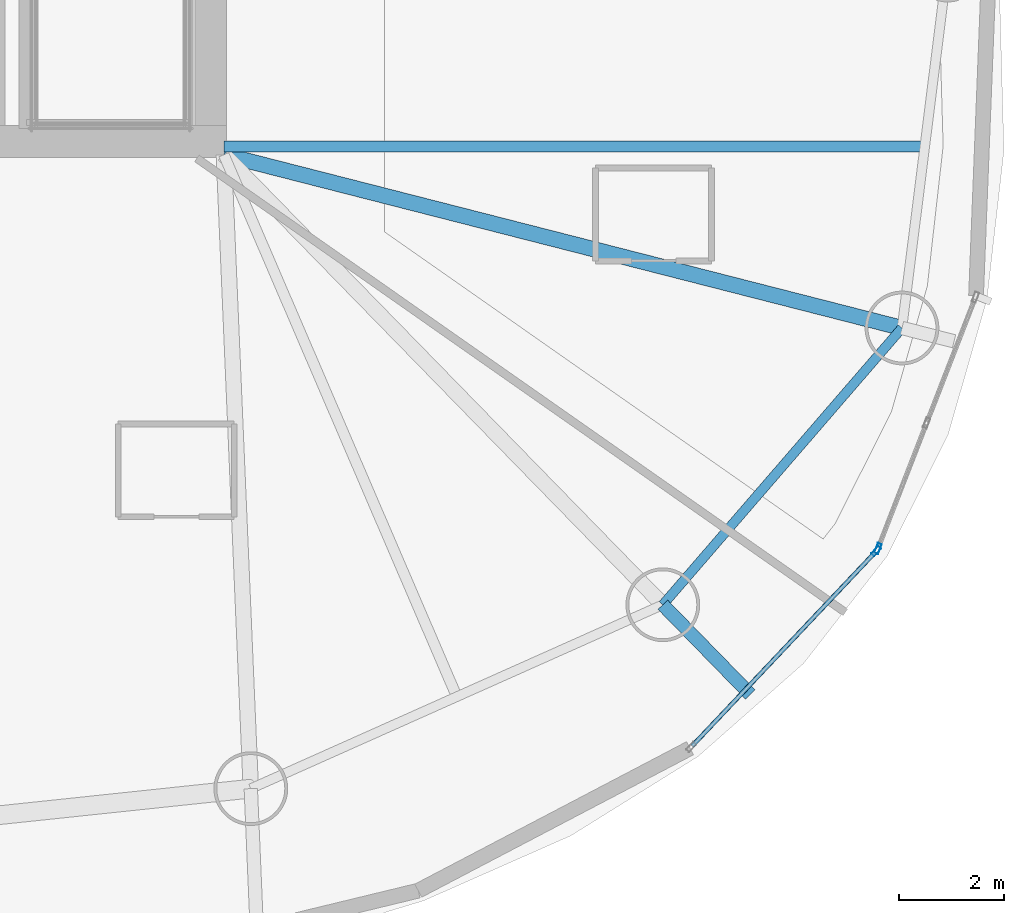
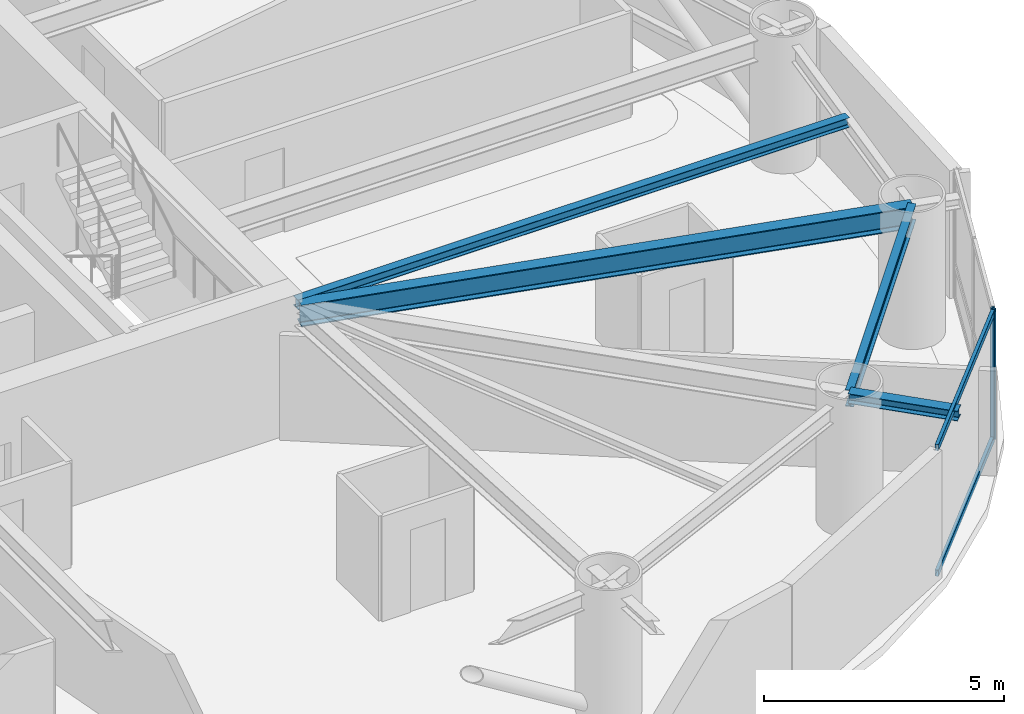
# One storey, part 10 of 23: 4 beams, 4 members, 2 elements without a shape of their own.
"""IFC4 building model written with IfcOpenShell, lengths in metres."""

from ifc_helpers import new_model, si_unit, direction, frame, origin, origin_2d, place, context, subcontext, project, spatial, hollow_rectangle, i_section, extrude, material, layer, layer_set, material_profile, profile_set, type_object, element, aggregate, save


model = new_model("IFC4")

# Units and contexts
model_context = context("Model", 3, precision=1e-05, world=origin(), true_north=direction((0.0, 1.0)))
body_context = subcontext(model_context, "Body", "Model", "MODEL_VIEW")
ifc_project = project(units=[si_unit("LENGTHUNIT", "METRE"), si_unit("AREAUNIT", "SQUARE_METRE"), si_unit("VOLUMEUNIT", "CUBIC_METRE"), si_unit("PLANEANGLEUNIT", "RADIAN"), si_unit("MASSUNIT", "GRAM", prefix="KILO")], contexts=[model_context])

# Site, building, storey
site_placement = place(None, origin())
site = spatial("IfcSite", under=ifc_project, at=site_placement, CompositionType="ELEMENT")
building_placement = place(site_placement, origin())
building = spatial("IfcBuilding", under=site, at=building_placement, Name="Bramvorn Convention Spire", CompositionType="ELEMENT")
storey_placement = place(building_placement, frame((0.0, 0.0, 158.800048828125)))
storey = spatial("IfcBuildingStorey", under=building, at=storey_placement, Name="L40", CompositionType="ELEMENT", Elevation=158.800048828125)

# Beams
ifc_material_1 = material(Name="Steel CSA G40.21 Grade 350 (350W)", Category="steel")
ifc_material_profile_1 = material_profile(ifc_material_1, i_section(OverallWidth=0.201904296875, OverallDepth=0.2470703125, WebThickness=0.00732421875, FlangeThickness=0.010986328125, FilletRadius=0.011962890625, at=origin_2d()))
ifc_profile_set_1 = profile_set([ifc_material_profile_1], Name="Steel CSA G40.21 Grade 350 (350W) - W250X49")
beam_type_1 = type_object("IfcBeamType", Name="BM-W250X49", PredefinedType="JOIST", material=ifc_profile_set_1)
beam_1_placement = place(storey_placement, frame((49.25, 18.705078125, 3.136474609375), z_axis=(1.0, 0.0, 0.0), x_axis=(0.0, 1.0, 0.0)))
element("IfcBeam", 1, at=beam_1_placement, inside=storey, type_object=beam_type_1, Name="L40 composite floor joist 01", PredefinedType="JOIST", context=body_context, shape_type="SweptSolid", body=[
    extrude(i_section(OverallWidth=0.201904296875, OverallDepth=0.2470703125, WebThickness=0.00732421875, FlangeThickness=0.010986328125, FilletRadius=0.011962890625, at=origin_2d()), origin(), (0.0, 0.0, 1.0), 13.30078125),
])
ifc_material_profile_2 = material_profile(ifc_material_1, i_section(OverallWidth=0.25390625, OverallDepth=0.2529296875, WebThickness=0.008544921875, FlangeThickness=0.01416015625, FilletRadius=0.011962890625, at=origin_2d()))
ifc_profile_set_2 = profile_set([ifc_material_profile_2], Name="Steel CSA G40.21 Grade 350 (350W) - W250X73")
beam_type_2 = type_object("IfcBeamType", Name="BM-W250X73", PredefinedType="BEAM", material=ifc_profile_set_2)
beam_2_placement = place(storey_placement, frame((57.579833984375, 10.0107421875, 3.133544921875), z_axis=(0.69832641791, -0.715779445115, 0.0), x_axis=(0.715779445115, 0.69832641791, 0.0)))
element("IfcBeam", 2, at=beam_2_placement, inside=storey, type_object=beam_type_2, Name="L40 slab-edge cantilever tip beam MC16", PredefinedType="BEAM", context=body_context, shape_type="SweptSolid", body=[
    extrude(i_section(OverallWidth=0.25390625, OverallDepth=0.2529296875, WebThickness=0.008544921875, FlangeThickness=0.01416015625, FilletRadius=0.011962890625, at=origin_2d()), origin(), (0.0, 0.0, 1.0), 2.3779296875),
])
ifc_material_profile_3 = material_profile(ifc_material_1, i_section(OverallWidth=0.180908203125, OverallDepth=0.4169921875, WebThickness=0.010986328125, FlangeThickness=0.018310546875, FilletRadius=0.01611328125, at=origin_2d()))
ifc_profile_set_3 = profile_set([ifc_material_profile_3], Name="Steel CSA G40.21 Grade 350 (350W) - W410X85")
beam_type_3 = type_object("IfcBeamType", Name="BM-W410X85", PredefinedType="JOIST", material=ifc_profile_set_3)
beam_3_placement = place(storey_placement, frame((57.579833984375, 10.0107421875, 3.051513671875), z_axis=(0.653824993824, 0.756645807132, 0.0), x_axis=(-0.756645807132, 0.653824993824, 0.0)))
element("IfcBeam", 3, at=beam_3_placement, inside=storey, type_object=beam_type_3, Name="L40 mega-column ring beam 16", PredefinedType="JOIST", context=body_context, shape_type="SweptSolid", body=[
    extrude(i_section(OverallWidth=0.180908203125, OverallDepth=0.4169921875, WebThickness=0.010986328125, FlangeThickness=0.018310546875, FilletRadius=0.01611328125, at=origin_2d()), origin(), (0.0, 0.0, 1.0), 6.9404296875),
])
ifc_material_profile_4 = material_profile(ifc_material_1, i_section(OverallWidth=0.2919921875, OverallDepth=0.551025390625, WebThickness=0.01513671875, FlangeThickness=0.0244140625, FilletRadius=0.01904296875, at=origin_2d()))
ifc_profile_set_4 = profile_set([ifc_material_profile_4], Name="Steel CSA G40.21 Grade 350 (350W) - W530X182")
beam_type_4 = type_object("IfcBeamType", Name="BM-W530X182", PredefinedType="BEAM", material=ifc_profile_set_4)
beam_4_placement = place(storey_placement, frame((49.25, 18.550048828125, 2.984375), z_axis=(0.968872976577, -0.247558387576, 0.0), x_axis=(0.247558387576, 0.968872976577, 0.0)))
element("IfcBeam", 4, at=beam_4_placement, inside=storey, type_object=beam_type_4, Name="L40 radial floor girder MC01", PredefinedType="BEAM", context=body_context, shape_type="SweptSolid", body=[
    extrude(i_section(OverallWidth=0.2919921875, OverallDepth=0.551025390625, WebThickness=0.01513671875, FlangeThickness=0.0244140625, FilletRadius=0.01904296875, at=origin_2d()), origin(), (0.0, 0.0, 1.0), 13.281005859375),
])

# Curtain wall, member
ifc_material_2 = material(Name="Anodised Bronze Unitised Curtain Wall", Category="aluminium")
ifc_layer = layer(ifc_material_2, 0.179931640625)
ifc_layer_set = layer_set([ifc_layer], Name="Anodised Bronze Unitised Curtain Wall - CW-HTL-FRIT")
curtain_wall_type = type_object("IfcCurtainWallType", Name="CW-HTL-FRIT", PredefinedType="USERDEFINED", material=ifc_layer_set)
curtain_wall_1_placement = place(storey_placement, origin())
curtain_wall_1 = element("IfcCurtainWall", 5, at=curtain_wall_1_placement, inside=storey, type_object=curtain_wall_type, Name="L40 fritted glass curtain wall 01", ObjectType="UNITISED CURTAIN WALL", PredefinedType="USERDEFINED")
ifc_material_3 = material(Name="Anodised Bronze Aluminium 6063-T6", Category="aluminium")
ifc_material_profile_5 = material_profile(ifc_material_3, hollow_rectangle(XDim=0.080078125, YDim=0.199951171875, WallThickness=0.00390625, InnerFilletRadius=0.0009765625, OuterFilletRadius=0.00390625, at=origin_2d()))
ifc_profile_set_5 = profile_set([ifc_material_profile_5], Name="Anodised Bronze Aluminium 6063-T6 - CWM80X200")
member_type_1 = type_object("IfcMemberType", Name="CW-MUL-180", PredefinedType="MULLION", material=ifc_profile_set_5)
member_1_placement = place(storey_placement, frame((61.661376953125, 11.07666015625, 0.0), z_axis=(0.0, 0.0, 1.0), x_axis=(0.932187708761, -0.361975241742, 0.0)))
member_1 = element("IfcMember", 6, at=member_1_placement, type_object=member_type_1, Name="CW2 mullion 3", PredefinedType="MULLION", context=body_context, shape_type="SweptSolid", body=[
    extrude(hollow_rectangle(XDim=0.080078125, YDim=0.199951171875, WallThickness=0.00390625, InnerFilletRadius=0.0009765625, OuterFilletRadius=0.00390625, at=origin_2d()), origin(), (0.0, 0.0, 1.0), 3.260009765625),
])
aggregate(curtain_wall_1, [member_1])

# Curtain wall, members
curtain_wall_2_placement = place(storey_placement, origin())
curtain_wall_2 = element("IfcCurtainWall", 7, at=curtain_wall_2_placement, inside=storey, type_object=curtain_wall_type, Name="L40 fritted glass curtain wall 24", ObjectType="UNITISED CURTAIN WALL", PredefinedType="USERDEFINED")
member_2_placement = place(storey_placement, frame((61.6298828125, 11.027099609375, 0.0), z_axis=(0.0, 0.0, 1.0), x_axis=(0.726826608795, -0.686820996147, 0.0)))
member_2 = element("IfcMember", 8, at=member_2_placement, type_object=member_type_1, Name="CW2 mullion 1", PredefinedType="MULLION", context=body_context, shape_type="SweptSolid", body=[
    extrude(hollow_rectangle(XDim=0.080078125, YDim=0.199951171875, WallThickness=0.00390625, InnerFilletRadius=0.0009765625, OuterFilletRadius=0.00390625, at=origin_2d()), origin(), (0.0, 0.0, 1.0), 3.260009765625),
])
ifc_material_profile_6 = material_profile(ifc_material_3, hollow_rectangle(XDim=0.080078125, YDim=0.159912109375, WallThickness=0.00390625, InnerFilletRadius=0.0009765625, OuterFilletRadius=0.00390625, at=origin_2d()))
ifc_profile_set_6 = profile_set([ifc_material_profile_6], Name="Anodised Bronze Aluminium 6063-T6 - CWT80X160")
member_type_2 = type_object("IfcMemberType", Name="CW-TRN-150", PredefinedType="USERDEFINED", material=ifc_profile_set_6)
member_3_placement = place(storey_placement, frame((61.609130859375, 11.005126953125, 0.030029296875), z_axis=(-0.686826333329, -0.726821565342, 0.0), x_axis=(0.726821565342, -0.686826333329, 0.0)))
member_3 = element("IfcMember", 9, at=member_3_placement, type_object=member_type_2, Name="CW2 transom 1.1", ObjectType="TRANSOM", PredefinedType="USERDEFINED", context=body_context, shape_type="SweptSolid", body=[
    extrude(hollow_rectangle(XDim=0.080078125, YDim=0.159912109375, WallThickness=0.00390625, InnerFilletRadius=0.0009765625, OuterFilletRadius=0.00390625, at=origin_2d()), origin(), (0.0, 0.0, 1.0), 5.05419921875),
])
member_4_placement = place(storey_placement, frame((61.609130859375, 11.005126953125, 3.22998046875), z_axis=(-0.686826333329, -0.726821565342, 0.0), x_axis=(0.726821565342, -0.686826333329, 0.0)))
member_4 = element("IfcMember", 10, at=member_4_placement, type_object=member_type_2, Name="CW2 transom 1.2", ObjectType="TRANSOM", PredefinedType="USERDEFINED", context=body_context, shape_type="SweptSolid", body=[
    extrude(hollow_rectangle(XDim=0.080078125, YDim=0.159912109375, WallThickness=0.00390625, InnerFilletRadius=0.0009765625, OuterFilletRadius=0.00390625, at=origin_2d()), origin(), (0.0, 0.0, 1.0), 5.05419921875),
])
aggregate(curtain_wall_2, [member_2, member_3, member_4])

save(model, "model.ifc")
